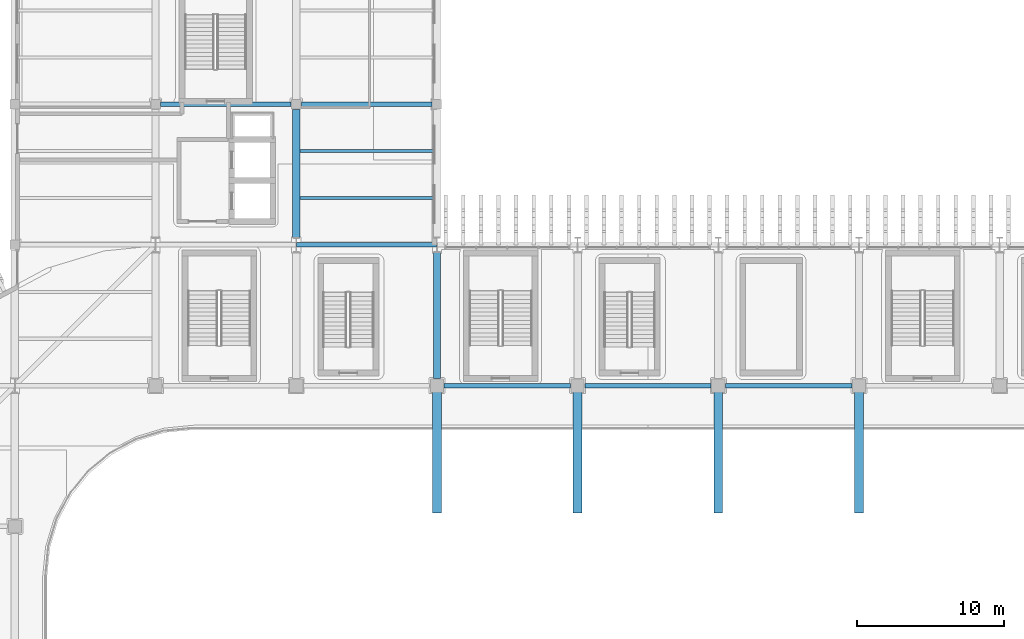
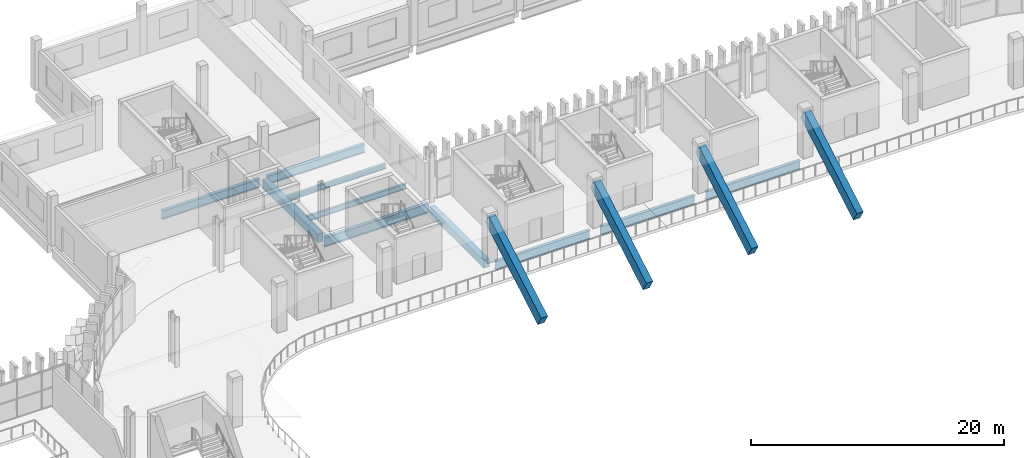
# One storey, part 29 of 100: 14 beams.
"""IFC4 building model written with IfcOpenShell, lengths in metres."""

from ifc_helpers import new_model, si_unit, direction, frame, origin, origin_2d, place, context, subcontext, project, spatial, rectangle, i_section, extrude, material, material_profile, profile_set, type_object, element, save


model = new_model("IFC4")

# Units and contexts
model_context = context("Model", 3, precision=1e-05, world=origin(), true_north=direction((0.0, 1.0)))
body_context = subcontext(model_context, "Body", "Model", "MODEL_VIEW")
ifc_project = project(units=[si_unit("LENGTHUNIT", "METRE"), si_unit("AREAUNIT", "SQUARE_METRE"), si_unit("VOLUMEUNIT", "CUBIC_METRE"), si_unit("PLANEANGLEUNIT", "RADIAN"), si_unit("MASSUNIT", "GRAM", prefix="KILO")], contexts=[model_context])

# Site, building, storey
site_placement = place(None, origin())
site = spatial("IfcSite", under=ifc_project, at=site_placement, CompositionType="ELEMENT")
building_placement = place(site_placement, origin())
building = spatial("IfcBuilding", under=site, at=building_placement, Name="Caelomonte Colonnade Arena", CompositionType="ELEMENT")
storey_placement = place(building_placement, origin())
storey = spatial("IfcBuildingStorey", under=building, at=storey_placement, Name="L00", CompositionType="ELEMENT", Elevation=0.0)

# Beams
ifc_material_1 = material(Name="Wide-flange steel ASTM A992 Grade 50", Category="steel")
ifc_material_profile_1 = material_profile(ifc_material_1, i_section(OverallWidth=0.307861328125, OverallDepth=0.927001953125, WebThickness=0.019287109375, FlangeThickness=0.031982421875, FilletRadius=0.020263671875, at=origin_2d()), Name="W36X194")
ifc_profile_set_1 = profile_set([ifc_material_profile_1], Name="Wide-flange steel ASTM A992 Grade 50")
beam_type_1 = type_object("IfcBeamType", Name="STR-BM-EAVES2", PredefinedType="SPANDREL", material=ifc_profile_set_1)
beam_1_placement = place(storey_placement, frame((86.41552734375, 115.199951171875, -0.763427734375), z_axis=(1.0, 0.0, 0.0), x_axis=(0.0, 1.0, 0.0)))
element("IfcBeam", 1, at=beam_1_placement, inside=storey, type_object=beam_type_1, Name="L00 girder BMX-L00-0864-1152", PredefinedType="SPANDREL", context=body_context, shape_type="SweptSolid", body=[
    extrude(i_section(OverallWidth=0.307861328125, OverallDepth=0.927001953125, WebThickness=0.019287109375, FlangeThickness=0.031982421875, FilletRadius=0.020263671875, at=origin_2d()), origin(), (0.0, 0.0, 1.0), 9.569091796875),
])
ifc_material_profile_2 = material_profile(ifc_material_1, i_section(OverallWidth=0.2919921875, OverallDepth=0.845703125, WebThickness=0.015380859375, FlangeThickness=0.0244140625, FilletRadius=0.017822265625, at=origin_2d()), Name="W33X141")
ifc_profile_set_2 = profile_set([ifc_material_profile_2], Name="Wide-flange steel ASTM A992 Grade 50")
beam_type_2 = type_object("IfcBeamType", Name="STR-BM-GIRD33", PredefinedType="BEAM", material=ifc_profile_set_2)
for number, where, z_axis, x_axis, name in (
    (2, (96.491943359375, 105.60009765625, -0.722900390625), (1.0, 0.0, 0.0), (0.0, 1.0, 0.0), "L00 girder BMX-L00-0960-1056"),
    (3, (106.092041015625, 105.60009765625, -0.722900390625), (1.0, 0.0, 0.0), (0.0, 1.0, 0.0), "L00 girder BMX-L00-1056-1056"),
):
    element("IfcBeam", number, at=place(storey_placement, frame(where, z_axis=z_axis, x_axis=x_axis)), inside=storey, type_object=beam_type_2, Name=name, PredefinedType="BEAM", context=body_context, shape_type="SweptSolid", body=[
        extrude(i_section(OverallWidth=0.2919921875, OverallDepth=0.845703125, WebThickness=0.015380859375, FlangeThickness=0.0244140625, FilletRadius=0.017822265625, at=origin_2d()), origin(), (0.0, 0.0, 1.0), 8.615966796875),
    ])
beam_2_placement = place(storey_placement, frame((115.69189453125, 105.60009765625, -0.722900390625), z_axis=(1.0, 0.0, 0.0), x_axis=(0.0, 1.0, 0.0)))
element("IfcBeam", 4, at=beam_2_placement, inside=storey, type_object=beam_type_2, Name="L00 girder BMX-L00-1152-1056", PredefinedType="BEAM", context=body_context, shape_type="SweptSolid", body=[
    extrude(i_section(OverallWidth=0.2919921875, OverallDepth=0.845703125, WebThickness=0.015380859375, FlangeThickness=0.0244140625, FilletRadius=0.017822265625, at=origin_2d()), origin(), (0.0, 0.0, 1.0), 8.6162109375),
])
for number, where, z_axis, x_axis, name in (
    (5, (77.14208984375, 124.800048828125, -0.722900390625), (1.0, 0.0, 0.0), (0.0, 1.0, 0.0), "L00 girder BMX-L00-0768-1248"),
    (6, (86.741943359375, 124.800048828125, -0.722900390625), (1.0, 0.0, 0.0), (0.0, 1.0, 0.0), "L00 girder BMX-L00-0864-1248"),
):
    element("IfcBeam", number, at=place(storey_placement, frame(where, z_axis=z_axis, x_axis=x_axis)), inside=storey, type_object=beam_type_2, Name=name, PredefinedType="BEAM", context=body_context, shape_type="SweptSolid", body=[
        extrude(i_section(OverallWidth=0.2919921875, OverallDepth=0.845703125, WebThickness=0.015380859375, FlangeThickness=0.0244140625, FilletRadius=0.017822265625, at=origin_2d()), origin(), (0.0, 0.0, 1.0), 8.916015625),
    ])
ifc_material_profile_3 = material_profile(ifc_material_1, i_section(OverallWidth=0.209228515625, OverallDepth=0.533447265625, WebThickness=0.01025390625, FlangeThickness=0.015625, FilletRadius=0.0126953125, at=origin_2d()), Name="W21X62")
ifc_profile_set_3 = profile_set([ifc_material_profile_3], Name="Wide-flange steel ASTM A992 Grade 50")
beam_type_3 = type_object("IfcBeamType", Name="STR-BM-JOIST21", PredefinedType="JOIST", material=ifc_profile_set_3)
for number, where, z_axis, x_axis, name in (
    (7, (86.64501953125, 118.39990234375, -0.566650390625), (1.0, 0.0, 0.0), (0.0, 1.0, 0.0), "L00 secondary joist 1"),
    (8, (86.64501953125, 121.60009765625, -0.566650390625), (1.0, 0.0, 0.0), (0.0, 1.0, 0.0), "L00 secondary joist 2"),
):
    element("IfcBeam", number, at=place(storey_placement, frame(where, z_axis=z_axis, x_axis=x_axis)), inside=storey, type_object=beam_type_3, Name=name, PredefinedType="JOIST", context=body_context, shape_type="SweptSolid", body=[
        extrude(i_section(OverallWidth=0.209228515625, OverallDepth=0.533447265625, WebThickness=0.01025390625, FlangeThickness=0.015625, FilletRadius=0.0126953125, at=origin_2d()), origin(), (0.0, 0.0, 1.0), 9.10986328125),
    ])
ifc_material_2 = material(Name="Concrete C40/50", Category="concrete")
ifc_material_profile_4 = material_profile(ifc_material_2, rectangle(XDim=0.5, YDim=0.800048828125, at=origin_2d()), Name="RC500X800")
ifc_profile_set_4 = profile_set([ifc_material_profile_4], Name="Concrete C40/50")
beam_type_4 = type_object("IfcBeamType", Name="STR-BM-RC50", PredefinedType="BEAM", material=ifc_profile_set_4)
beam_3_placement = place(storey_placement, frame((86.39990234375, 115.712646484375, -0.699951171875), z_axis=(0.0, 1.0, 0.0), x_axis=(-1.0, 0.0, 0.0)))
element("IfcBeam", 9, at=beam_3_placement, inside=storey, type_object=beam_type_4, Name="L00 girder BMY-L00-0864-1152", PredefinedType="BEAM", context=body_context, shape_type="SweptSolid", body=[
    extrude(rectangle(XDim=0.5, YDim=0.800048828125, at=origin_2d()), origin(), (0.0, 0.0, 1.0), 8.745361328125),
])
beam_4_placement = place(storey_placement, frame((96.0, 106.092041015625, -0.699951171875), z_axis=(0.0, 1.0, 0.0), x_axis=(-1.0, 0.0, 0.0)))
element("IfcBeam", 10, at=beam_4_placement, inside=storey, type_object=beam_type_4, Name="L00 girder BMY-L00-0960-1056", PredefinedType="BEAM", context=body_context, shape_type="SweptSolid", body=[
    extrude(rectangle(XDim=0.5, YDim=0.800048828125, at=origin_2d()), origin(), (0.0, 0.0, 1.0), 8.59521484375),
])
ifc_material_3 = material(Name="Concrete C50/60", Category="concrete")
ifc_material_profile_5 = material_profile(ifc_material_3, rectangle(XDim=0.60009765625, YDim=1.10009765625, at=origin_2d()), Name="RC600X1100")
ifc_profile_set_5 = profile_set([ifc_material_profile_5], Name="Concrete C50/60")
beam_type_5 = type_object("IfcBeamType", Name="STR-BM-RKL", PredefinedType="USERDEFINED", material=ifc_profile_set_5)
for number, where, z_axis, x_axis, name in (
    (11, (96.0, 97.199951171875, -0.800048828125), (0.0, 0.864714565042, 0.502263597132), (-1.0, 0.0, 0.0), "Lower bowl outer raker girder N-96"),
    (12, (105.60009765625, 97.199951171875, -0.800048828125), (0.0, 0.864714565042, 0.502263597132), (-1.0, 0.0, 0.0), "Lower bowl outer raker girder N-105"),
    (13, (115.199951171875, 97.199951171875, -0.800048828125), (0.0, 0.864714565042, 0.502263597132), (-1.0, 0.0, 0.0), "Lower bowl outer raker girder N-115"),
    (14, (124.800048828125, 97.199951171875, -0.800048828125), (0.0, 0.864714565042, 0.502263597132), (-1.0, 0.0, 0.0), "Lower bowl outer raker girder N-124"),
):
    element("IfcBeam", number, at=place(storey_placement, frame(where, z_axis=z_axis, x_axis=x_axis)), inside=storey, type_object=beam_type_5, Name=name, ObjectType="RAKER", PredefinedType="USERDEFINED", context=body_context, shape_type="SweptSolid", body=[
        extrude(rectangle(XDim=0.60009765625, YDim=1.10009765625, at=origin_2d()), origin(), (0.0, 0.0, 1.0), 9.656494140625),
    ])

save(model, "model.ifc")
